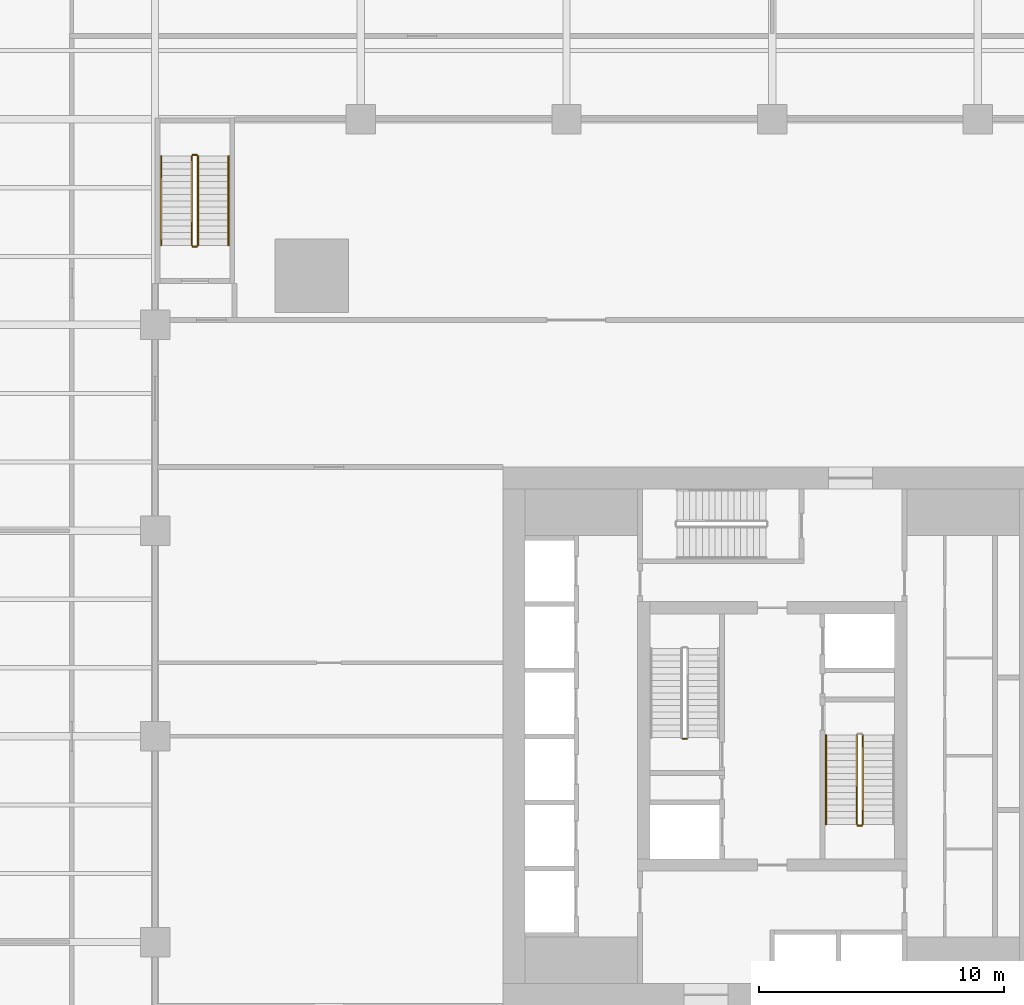
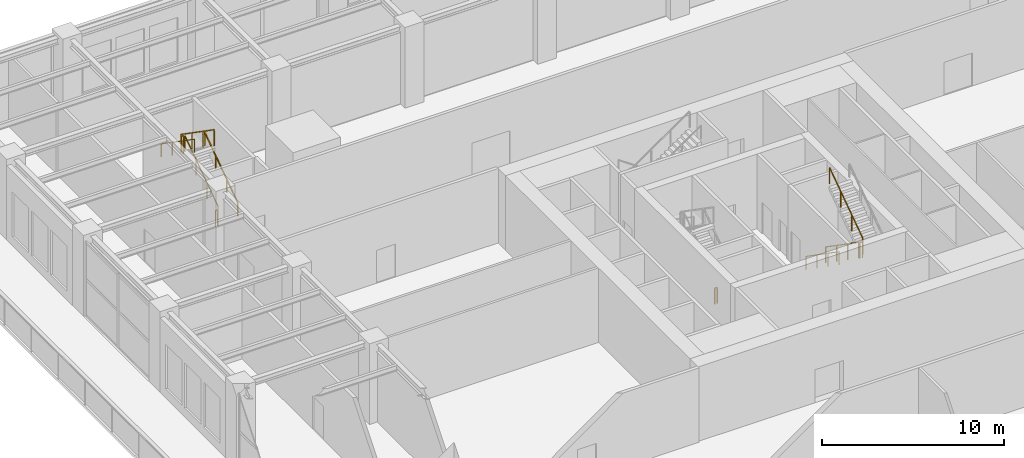
# One storey, part 33 of 36: 11 railings.
"""IFC4 building model written with IfcOpenShell, lengths in metres."""

from ifc_helpers import new_model, si_unit, direction, frame, origin, origin_2d, place, context, subcontext, project, spatial, rectangle, extrude, material, type_object, element, save


model = new_model("IFC4")

# Units and contexts
model_context = context("Model", 3, precision=1e-05, world=origin(), true_north=direction((0.0, 1.0)))
body_context = subcontext(model_context, "Body", "Model", "MODEL_VIEW")
ifc_project = project(units=[si_unit("LENGTHUNIT", "METRE"), si_unit("AREAUNIT", "SQUARE_METRE"), si_unit("VOLUMEUNIT", "CUBIC_METRE"), si_unit("PLANEANGLEUNIT", "RADIAN"), si_unit("MASSUNIT", "GRAM", prefix="KILO")], contexts=[model_context])

# Site, building, storey
site_placement = place(None, origin())
site = spatial("IfcSite", under=ifc_project, at=site_placement, CompositionType="ELEMENT")
building_placement = place(site_placement, origin())
building = spatial("IfcBuilding", under=site, at=building_placement, Name="Khepri Terraces", CompositionType="ELEMENT")
storey_placement = place(building_placement, frame((0.0, 0.0, 16.800048828125)))
storey = spatial("IfcBuildingStorey", under=building, at=storey_placement, Name="L03", CompositionType="ELEMENT", Elevation=16.800048828125)

# Railings
ifc_material = material(Name="Stainless steel 316", Category="steel")
railing_type_1 = type_object("IfcRailingType", Name="RL-CORE-GUARD", PredefinedType="GUARDRAIL", material=ifc_material)
railing_1_placement = place(storey_placement, frame((-3.5, -0.10009765625, 0.0)))
element("IfcRailing", 1, at=railing_1_placement, inside=storey, type_object=railing_type_1, Name="L03 ST-1 stair guard 4", PredefinedType="GUARDRAIL", context=body_context, shape_type="SweptSolid", body=[
    extrude(rectangle(XDim=0.050048828125, YDim=0.06005859375, at=origin_2d()), frame((0.0, 0.0, 1.070068359375), z_axis=(-1.0, 0.0, 0.0), x_axis=(0.0, -1.0, 0.0)), (0.0, 0.0, 1.0), 0.14990234375),
    extrude(rectangle(XDim=0.050048828125, YDim=0.050048828125, at=origin_2d()), origin(), (0.0, 0.0, 1.0), 1.0400390625),
    extrude(rectangle(XDim=0.050048828125, YDim=0.050048828125, at=origin_2d()), frame((-0.14990234375, 0.0, 0.0)), (0.0, 0.0, 1.0), 1.0400390625),
])
railing_2_placement = place(storey_placement, frame((3.449951171875, 0.050048828125, 0.179931640625)))
element("IfcRailing", 2, at=railing_2_placement, inside=storey, type_object=railing_type_1, Name="L03 ST-2 stair guard 1", PredefinedType="GUARDRAIL", context=body_context, shape_type="SweptSolid", body=[
    extrude(rectangle(XDim=0.050048828125, YDim=0.06005859375, at=origin_2d()), frame((0.0, 0.0, 1.070068359375), z_axis=(0.0, -0.82220013233, 0.56919850878), x_axis=(1.0, 0.0, 0.0)), (0.0, 0.0, 1.0), 4.42724609375),
    extrude(rectangle(XDim=0.050048828125, YDim=0.050048828125, at=origin_2d()), origin(), (0.0, 0.0, 1.0), 1.0400390625),
    extrude(rectangle(XDim=0.050048828125, YDim=0.050048828125, at=origin_2d()), frame((0.0, -1.21337890625, 0.840087890625)), (0.0, 0.0, 1.0), 1.0400390625),
    extrude(rectangle(XDim=0.050048828125, YDim=0.050048828125, at=origin_2d()), frame((0.0, -2.4267578125, 1.679931640625)), (0.0, 0.0, 1.0), 1.0400390625),
    extrude(rectangle(XDim=0.050048828125, YDim=0.050048828125, at=origin_2d()), frame((0.0, -3.64013671875, 2.52001953125)), (0.0, 0.0, 1.0), 1.0400390625),
])
railing_3_placement = place(storey_placement, frame((3.5, -3.639892578125, 2.699951171875)))
element("IfcRailing", 3, at=railing_3_placement, inside=storey, type_object=railing_type_1, Name="L03 ST-2 stair guard 2", PredefinedType="GUARDRAIL", context=body_context, shape_type="SweptSolid", body=[
    extrude(rectangle(XDim=0.050048828125, YDim=0.06005859375, at=origin_2d()), frame((0.0, 0.0, 1.070068359375), z_axis=(1.0, 0.0, 0.0), x_axis=(0.0, 1.0, 0.0)), (0.0, 0.0, 1.0), 0.14990234375),
    extrude(rectangle(XDim=0.050048828125, YDim=0.050048828125, at=origin_2d()), origin(), (0.0, 0.0, 1.0), 1.0400390625),
    extrude(rectangle(XDim=0.050048828125, YDim=0.050048828125, at=origin_2d()), frame((0.14990234375, 0.0, 0.0)), (0.0, 0.0, 1.0), 1.0400390625),
])
railing_4_placement = place(storey_placement, frame((3.699951171875, -3.590087890625, 2.8798828125)))
element("IfcRailing", 4, at=railing_4_placement, inside=storey, type_object=railing_type_1, Name="L03 ST-2 stair guard 3", PredefinedType="GUARDRAIL", context=body_context, shape_type="SweptSolid", body=[
    extrude(rectangle(XDim=0.050048828125, YDim=0.06005859375, at=origin_2d()), frame((0.0, 0.0, 1.070068359375), z_axis=(0.0, 0.82220013233, 0.56919850878), x_axis=(-1.0, 0.0, 0.0)), (0.0, 0.0, 1.0), 4.42724609375),
    extrude(rectangle(XDim=0.050048828125, YDim=0.050048828125, at=origin_2d()), origin(), (0.0, 0.0, 1.0), 1.0400390625),
    extrude(rectangle(XDim=0.050048828125, YDim=0.050048828125, at=origin_2d()), frame((0.0, 1.21337890625, 0.840087890625)), (0.0, 0.0, 1.0), 1.0400390625),
    extrude(rectangle(XDim=0.050048828125, YDim=0.050048828125, at=origin_2d()), frame((0.0, 2.4267578125, 1.679931640625)), (0.0, 0.0, 1.0), 1.0400390625),
    extrude(rectangle(XDim=0.050048828125, YDim=0.050048828125, at=origin_2d()), frame((0.0, 3.64013671875, 2.52001953125)), (0.0, 0.0, 1.0), 1.0400390625),
])
railing_type_2 = type_object("IfcRailingType", Name="RL-CORE-HANDRAIL", PredefinedType="HANDRAIL", material=ifc_material)
railing_5_placement = place(storey_placement, frame((2.199951171875, 0.050048828125, 0.179931640625)))
element("IfcRailing", 5, at=railing_5_placement, inside=storey, type_object=railing_type_2, Name="L03 ST-2 stair handrail 1", PredefinedType="HANDRAIL", context=body_context, shape_type="SweptSolid", body=[
    extrude(rectangle(XDim=0.050048828125, YDim=0.050048828125, at=origin_2d()), frame((0.0, 0.0, 0.875), z_axis=(0.0, -0.82220013233, 0.56919850878), x_axis=(1.0, 0.0, 0.0)), (0.0, 0.0, 1.0), 4.42724609375),
    extrude(rectangle(XDim=0.050048828125, YDim=0.050048828125, at=origin_2d()), origin(), (0.0, 0.0, 1.0), 0.849853515625),
    extrude(rectangle(XDim=0.050048828125, YDim=0.050048828125, at=origin_2d()), frame((0.0, -1.21337890625, 0.840087890625)), (0.0, 0.0, 1.0), 0.849853515625),
    extrude(rectangle(XDim=0.050048828125, YDim=0.050048828125, at=origin_2d()), frame((0.0, -2.4267578125, 1.679931640625)), (0.0, 0.0, 1.0), 0.849853515625),
    extrude(rectangle(XDim=0.050048828125, YDim=0.050048828125, at=origin_2d()), frame((0.0, -3.64013671875, 2.52001953125)), (0.0, 0.0, 1.0), 0.849853515625),
])
railing_type_3 = type_object("IfcRailingType", Name="RL-POD-GUARD", PredefinedType="GUARDRAIL", material=ifc_material)
railing_6_placement = place(storey_placement, frame((-23.449951171875, 20.050048828125, 0.179931640625)))
element("IfcRailing", 6, at=railing_6_placement, inside=storey, type_object=railing_type_3, Name="L03 PS-2 stair guard 1", PredefinedType="GUARDRAIL", context=body_context, shape_type="SweptSolid", body=[
    extrude(rectangle(XDim=0.050048828125, YDim=0.06005859375, at=origin_2d()), frame((0.0, 0.0, 1.070068359375), z_axis=(0.0, 0.822182265111, 0.569224316888), x_axis=(-1.0, 0.0, 0.0)), (0.0, 0.0, 1.0), 4.427001953125),
    extrude(rectangle(XDim=0.050048828125, YDim=0.050048828125, at=origin_2d()), origin(), (0.0, 0.0, 1.0), 1.0400390625),
    extrude(rectangle(XDim=0.050048828125, YDim=0.050048828125, at=origin_2d()), frame((0.0, 1.21337890625, 0.840087890625)), (0.0, 0.0, 1.0), 1.0400390625),
    extrude(rectangle(XDim=0.050048828125, YDim=0.050048828125, at=origin_2d()), frame((0.0, 2.426513671875, 1.679931640625)), (0.0, 0.0, 1.0), 1.0400390625),
    extrude(rectangle(XDim=0.050048828125, YDim=0.050048828125, at=origin_2d()), frame((0.0, 3.639892578125, 2.52001953125)), (0.0, 0.0, 1.0), 1.0400390625),
])
railing_7_placement = place(storey_placement, frame((-23.5, 23.739990234375, 2.699951171875)))
element("IfcRailing", 7, at=railing_7_placement, inside=storey, type_object=railing_type_3, Name="L03 PS-2 stair guard 2", PredefinedType="GUARDRAIL", context=body_context, shape_type="SweptSolid", body=[
    extrude(rectangle(XDim=0.050048828125, YDim=0.06005859375, at=origin_2d()), frame((0.0, 0.0, 1.070068359375), z_axis=(-1.0, 0.0, 0.0), x_axis=(0.0, -1.0, 0.0)), (0.0, 0.0, 1.0), 0.14990234375),
    extrude(rectangle(XDim=0.050048828125, YDim=0.050048828125, at=origin_2d()), origin(), (0.0, 0.0, 1.0), 1.0400390625),
    extrude(rectangle(XDim=0.050048828125, YDim=0.050048828125, at=origin_2d()), frame((-0.14990234375, 0.0, 0.0)), (0.0, 0.0, 1.0), 1.0400390625),
])
railing_8_placement = place(storey_placement, frame((-23.699951171875, 23.68994140625, 2.8798828125)))
element("IfcRailing", 8, at=railing_8_placement, inside=storey, type_object=railing_type_3, Name="L03 PS-2 stair guard 3", PredefinedType="GUARDRAIL", context=body_context, shape_type="SweptSolid", body=[
    extrude(rectangle(XDim=0.050048828125, YDim=0.06005859375, at=origin_2d()), frame((0.0, 0.0, 1.070068359375), z_axis=(0.0, -0.822182265111, 0.569224316888), x_axis=(1.0, 0.0, 0.0)), (0.0, 0.0, 1.0), 4.427001953125),
    extrude(rectangle(XDim=0.050048828125, YDim=0.050048828125, at=origin_2d()), origin(), (0.0, 0.0, 1.0), 1.0400390625),
    extrude(rectangle(XDim=0.050048828125, YDim=0.050048828125, at=origin_2d()), frame((0.0, -1.21337890625, 0.840087890625)), (0.0, 0.0, 1.0), 1.0400390625),
    extrude(rectangle(XDim=0.050048828125, YDim=0.050048828125, at=origin_2d()), frame((0.0, -2.426513671875, 1.679931640625)), (0.0, 0.0, 1.0), 1.0400390625),
    extrude(rectangle(XDim=0.050048828125, YDim=0.050048828125, at=origin_2d()), frame((0.0, -3.639892578125, 2.52001953125)), (0.0, 0.0, 1.0), 1.0400390625),
])
railing_9_placement = place(storey_placement, frame((-23.5, 20.0, 0.0)))
element("IfcRailing", 9, at=railing_9_placement, inside=storey, type_object=railing_type_3, Name="L03 PS-2 stair guard 4", PredefinedType="GUARDRAIL", context=body_context, shape_type="SweptSolid", body=[
    extrude(rectangle(XDim=0.050048828125, YDim=0.06005859375, at=origin_2d()), frame((0.0, 0.0, 1.070068359375), z_axis=(-1.0, 0.0, 0.0), x_axis=(0.0, -1.0, 0.0)), (0.0, 0.0, 1.0), 0.14990234375),
    extrude(rectangle(XDim=0.050048828125, YDim=0.050048828125, at=origin_2d()), origin(), (0.0, 0.0, 1.0), 1.0400390625),
    extrude(rectangle(XDim=0.050048828125, YDim=0.050048828125, at=origin_2d()), frame((-0.14990234375, 0.0, 0.0)), (0.0, 0.0, 1.0), 1.0400390625),
])
railing_type_4 = type_object("IfcRailingType", Name="RL-POD-HANDRAIL", PredefinedType="HANDRAIL", material=ifc_material)
railing_10_placement = place(storey_placement, frame((-22.199951171875, 20.050048828125, 0.179931640625)))
element("IfcRailing", 10, at=railing_10_placement, inside=storey, type_object=railing_type_4, Name="L03 PS-2 stair handrail 1", PredefinedType="HANDRAIL", context=body_context, shape_type="SweptSolid", body=[
    extrude(rectangle(XDim=0.050048828125, YDim=0.050048828125, at=origin_2d()), frame((0.0, 0.0, 0.875), z_axis=(0.0, 0.822182265111, 0.569224316888), x_axis=(-1.0, 0.0, 0.0)), (0.0, 0.0, 1.0), 4.427001953125),
    extrude(rectangle(XDim=0.050048828125, YDim=0.050048828125, at=origin_2d()), origin(), (0.0, 0.0, 1.0), 0.849853515625),
    extrude(rectangle(XDim=0.050048828125, YDim=0.050048828125, at=origin_2d()), frame((0.0, 1.21337890625, 0.840087890625)), (0.0, 0.0, 1.0), 0.849853515625),
    extrude(rectangle(XDim=0.050048828125, YDim=0.050048828125, at=origin_2d()), frame((0.0, 2.426513671875, 1.679931640625)), (0.0, 0.0, 1.0), 0.849853515625),
    extrude(rectangle(XDim=0.050048828125, YDim=0.050048828125, at=origin_2d()), frame((0.0, 3.639892578125, 2.52001953125)), (0.0, 0.0, 1.0), 0.849853515625),
])
railing_11_placement = place(storey_placement, frame((-24.949951171875, 23.68994140625, 2.8798828125)))
element("IfcRailing", 11, at=railing_11_placement, inside=storey, type_object=railing_type_4, Name="L03 PS-2 stair handrail 2", PredefinedType="HANDRAIL", context=body_context, shape_type="SweptSolid", body=[
    extrude(rectangle(XDim=0.050048828125, YDim=0.050048828125, at=origin_2d()), frame((0.0, 0.0, 0.875), z_axis=(0.0, -0.822182265111, 0.569224316888), x_axis=(1.0, 0.0, 0.0)), (0.0, 0.0, 1.0), 4.427001953125),
    extrude(rectangle(XDim=0.050048828125, YDim=0.050048828125, at=origin_2d()), origin(), (0.0, 0.0, 1.0), 0.849853515625),
    extrude(rectangle(XDim=0.050048828125, YDim=0.050048828125, at=origin_2d()), frame((0.0, -1.21337890625, 0.840087890625)), (0.0, 0.0, 1.0), 0.849853515625),
    extrude(rectangle(XDim=0.050048828125, YDim=0.050048828125, at=origin_2d()), frame((0.0, -2.426513671875, 1.679931640625)), (0.0, 0.0, 1.0), 0.849853515625),
    extrude(rectangle(XDim=0.050048828125, YDim=0.050048828125, at=origin_2d()), frame((0.0, -3.639892578125, 2.52001953125)), (0.0, 0.0, 1.0), 0.849853515625),
])

save(model, "model.ifc")
